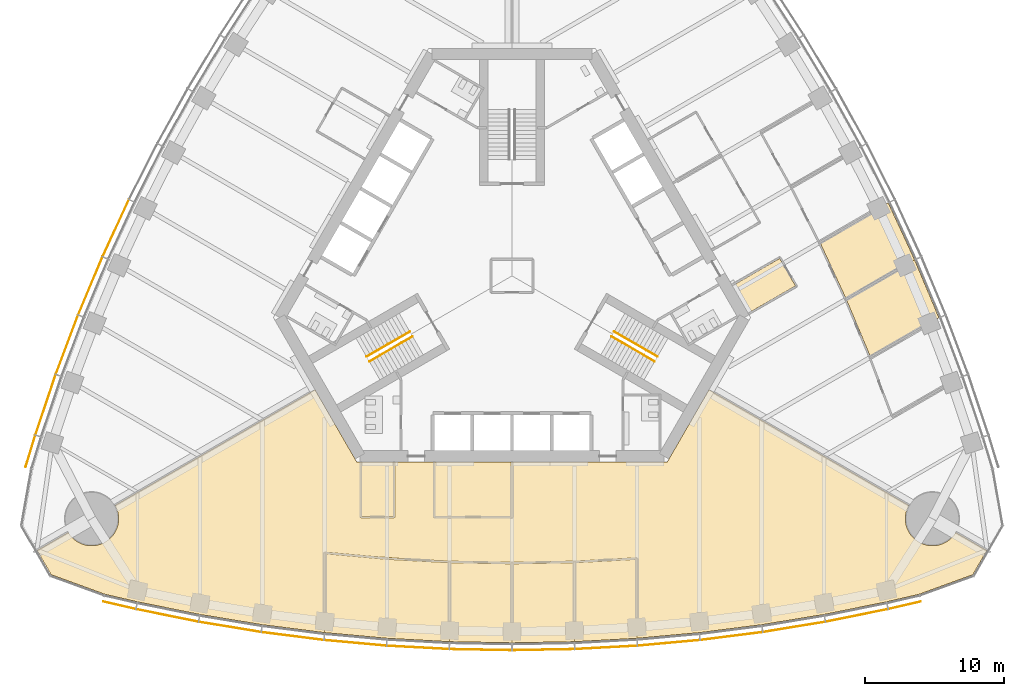
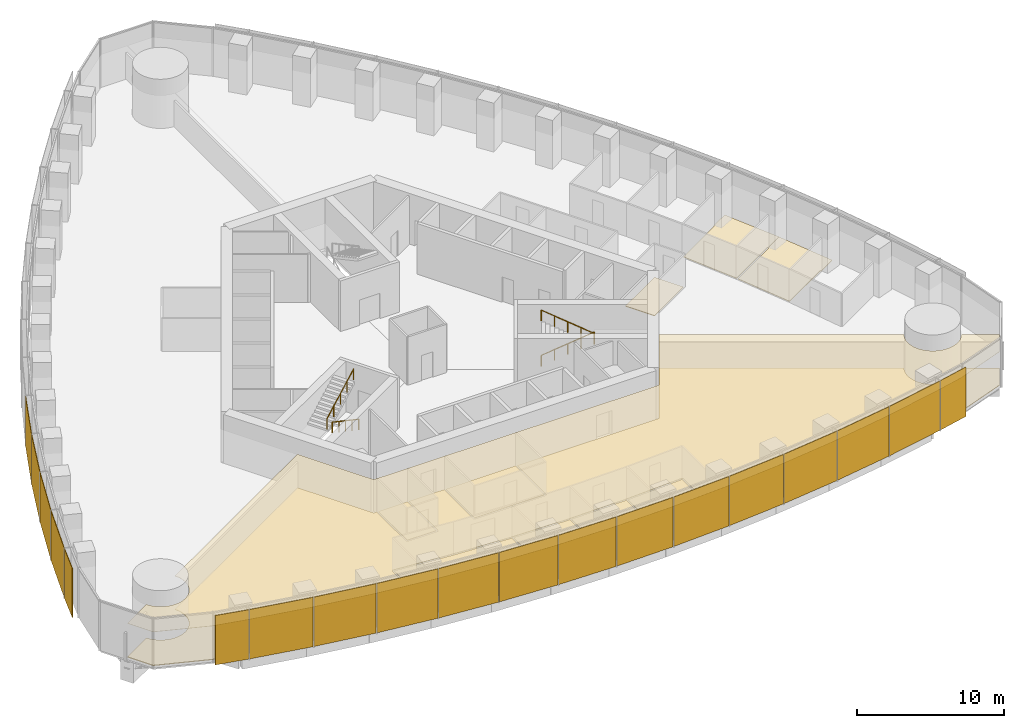
# One storey, part 15 of 19: 19 shading devices, 11 coverings, 4 railings.
"""IFC4 building model written with IfcOpenShell, lengths in metres."""

from ifc_helpers import new_model, si_unit, direction, frame, origin, origin_2d, place, context, subcontext, project, spatial, polyline, rectangle, circle, outline, extrude, material, layer, layer_set, type_object, element, save


model = new_model("IFC4")

# Units and contexts
model_context = context("Model", 3, precision=1e-05, world=origin(), true_north=direction((0.0, 1.0)))
body_context = subcontext(model_context, "Body", "Model", "MODEL_VIEW")
ifc_project = project(units=[si_unit("LENGTHUNIT", "METRE"), si_unit("AREAUNIT", "SQUARE_METRE"), si_unit("VOLUMEUNIT", "CUBIC_METRE"), si_unit("PLANEANGLEUNIT", "RADIAN"), si_unit("MASSUNIT", "GRAM", prefix="KILO")], contexts=[model_context])

# Site, building, storey
site_placement = place(None, origin())
site = spatial("IfcSite", under=ifc_project, at=site_placement, CompositionType="ELEMENT")
building_placement = place(site_placement, origin())
building = spatial("IfcBuilding", under=site, at=building_placement, Name="Trefoil Bronze Tower", CompositionType="ELEMENT")
storey_placement = place(building_placement, frame((0.0, 0.0, 124.10009765625)))
storey = spatial("IfcBuildingStorey", under=building, at=storey_placement, Name="L28", CompositionType="ELEMENT", Elevation=124.10009765625)

# Shading devices
ifc_material_1 = material(Name="Perforated bronze sheet", Category="bronze")
ifc_layer_1 = layer(ifc_material_1, 0.0400390625)
ifc_layer_set_1 = layer_set([ifc_layer_1], Name="Bronze solar screen panel")
shading_device_type = type_object("IfcShadingDeviceType", Name="Bronze solar screen panel", PredefinedType="SHUTTER", material=ifc_layer_set_1)
shading_device_1_placement = place(storey_placement, frame((-28.30078125, -23.748779296875, 0.0498046875), z_axis=(0.0, 0.0, 1.0), x_axis=(0.97420444715, -0.225667222151, 0.0)))
element("IfcShadingDevice", 1, at=shading_device_1_placement, inside=storey, type_object=shading_device_type, Name="Solar screen CW-A L28 F1 bay 1", PredefinedType="SHUTTER", context=body_context, shape_type="SweptSolid", body=[
    extrude(rectangle(XDim=2.39013671875, YDim=0.0400390625, at=origin_2d()), origin(), (0.0, 0.0, 1.0), 4.10009765625),
])
shading_device_2_placement = place(storey_placement, frame((-24.85693359375, -24.480224609375, 0.0498046875), z_axis=(0.0, 0.0, 1.0), x_axis=(0.980155155547, -0.198231861853, 0.0)))
element("IfcShadingDevice", 2, at=shading_device_2_placement, inside=storey, type_object=shading_device_type, Name="Solar screen CW-A L28 F1 bay 2", PredefinedType="SHUTTER", context=body_context, shape_type="SweptSolid", body=[
    extrude(rectangle(XDim=4.56103515625, YDim=0.0400390625, at=origin_2d()), origin(), (0.0, 0.0, 1.0), 4.10009765625),
])
shading_device_3_placement = place(storey_placement, frame((-20.337646484375, -25.30859375, 0.0498046875), z_axis=(0.0, 0.0, 1.0), x_axis=(0.986759655731, -0.162189339418, 0.0)))
element("IfcShadingDevice", 3, at=shading_device_3_placement, inside=storey, type_object=shading_device_type, Name="Solar screen CW-A L28 F1 bay 3", PredefinedType="SHUTTER", context=body_context, shape_type="SweptSolid", body=[
    extrude(rectangle(XDim=4.5302734375, YDim=0.0400390625, at=origin_2d()), origin(), (0.0, 0.0, 1.0), 4.10009765625),
])
shading_device_4_placement = place(storey_placement, frame((-15.818115234375, -25.96728515625, 0.0498046875), z_axis=(0.0, 0.0, 1.0), x_axis=(0.992011554286, -0.126147041833, 0.0)))
element("IfcShadingDevice", 4, at=shading_device_4_placement, inside=storey, type_object=shading_device_type, Name="Solar screen CW-A L28 F1 bay 4", PredefinedType="SHUTTER", context=body_context, shape_type="SweptSolid", body=[
    extrude(rectangle(XDim=4.50634765625, YDim=0.0400390625, at=origin_2d()), origin(), (0.0, 0.0, 1.0), 4.10009765625),
])
shading_device_5_placement = place(storey_placement, frame((-11.298583984375, -26.459228515625, 0.0498046875), z_axis=(0.0, 0.0, 1.0), x_axis=(0.995932279146, -0.090104913044, 0.0)))
element("IfcShadingDevice", 5, at=shading_device_5_placement, inside=storey, type_object=shading_device_type, Name="Solar screen CW-A L28 F1 bay 5", PredefinedType="SHUTTER", context=body_context, shape_type="SweptSolid", body=[
    extrude(rectangle(XDim=4.48828125, YDim=0.0400390625, at=origin_2d()), origin(), (0.0, 0.0, 1.0), 4.10009765625),
])
shading_device_6_placement = place(storey_placement, frame((-6.779296875, -26.785888671875, 0.0498046875), z_axis=(0.0, 0.0, 1.0), x_axis=(0.998537531923, -0.054062901701, 0.0)))
element("IfcShadingDevice", 6, at=shading_device_6_placement, inside=storey, type_object=shading_device_type, Name="Solar screen CW-A L28 F1 bay 6", PredefinedType="SHUTTER", context=body_context, shape_type="SweptSolid", body=[
    extrude(rectangle(XDim=4.4765625, YDim=0.0400390625, at=origin_2d()), origin(), (0.0, 0.0, 1.0), 4.10009765625),
])
for number, where, z_axis, x_axis, name in (
    (7, (-2.259765625, -26.948974609375, 0.0498046875), (0.0, 0.0, 1.0), (0.999837609322, -0.018020959612, 0.0), "Solar screen CW-A L28 F1 bay 7"),
    (8, (2.259765625, -26.948974609375, 0.0498046875), (0.0, 0.0, 1.0), (0.999837609322, 0.018020959612, 0.0), "Solar screen CW-A L28 F1 bay 8"),
):
    element("IfcShadingDevice", number, at=place(storey_placement, frame(where, z_axis=z_axis, x_axis=x_axis)), inside=storey, type_object=shading_device_type, Name=name, PredefinedType="SHUTTER", context=body_context, shape_type="SweptSolid", body=[
        extrude(rectangle(XDim=4.470703125, YDim=0.0400390625, at=origin_2d()), origin(), (0.0, 0.0, 1.0), 4.10009765625),
    ])
shading_device_7_placement = place(storey_placement, frame((6.779296875, -26.785888671875, 0.0498046875), z_axis=(0.0, 0.0, 1.0), x_axis=(0.998537531923, 0.054062901701, 0.0)))
element("IfcShadingDevice", 9, at=shading_device_7_placement, inside=storey, type_object=shading_device_type, Name="Solar screen CW-A L28 F1 bay 9", PredefinedType="SHUTTER", context=body_context, shape_type="SweptSolid", body=[
    extrude(rectangle(XDim=4.4765625, YDim=0.0400390625, at=origin_2d()), origin(), (0.0, 0.0, 1.0), 4.10009765625),
])
shading_device_8_placement = place(storey_placement, frame((11.298583984375, -26.459228515625, 0.0498046875), z_axis=(0.0, 0.0, 1.0), x_axis=(0.995932279146, 0.090104913044, 0.0)))
element("IfcShadingDevice", 10, at=shading_device_8_placement, inside=storey, type_object=shading_device_type, Name="Solar screen CW-A L28 F1 bay 10", PredefinedType="SHUTTER", context=body_context, shape_type="SweptSolid", body=[
    extrude(rectangle(XDim=4.48828125, YDim=0.0400390625, at=origin_2d()), origin(), (0.0, 0.0, 1.0), 4.10009765625),
])
shading_device_9_placement = place(storey_placement, frame((15.818115234375, -25.96728515625, 0.0498046875), z_axis=(0.0, 0.0, 1.0), x_axis=(0.992011554286, 0.126147041833, 0.0)))
element("IfcShadingDevice", 11, at=shading_device_9_placement, inside=storey, type_object=shading_device_type, Name="Solar screen CW-A L28 F1 bay 11", PredefinedType="SHUTTER", context=body_context, shape_type="SweptSolid", body=[
    extrude(rectangle(XDim=4.50634765625, YDim=0.0400390625, at=origin_2d()), origin(), (0.0, 0.0, 1.0), 4.10009765625),
])
shading_device_10_placement = place(storey_placement, frame((20.337646484375, -25.30859375, 0.0498046875), z_axis=(0.0, 0.0, 1.0), x_axis=(0.986759655731, 0.162189339418, 0.0)))
element("IfcShadingDevice", 12, at=shading_device_10_placement, inside=storey, type_object=shading_device_type, Name="Solar screen CW-A L28 F1 bay 12", PredefinedType="SHUTTER", context=body_context, shape_type="SweptSolid", body=[
    extrude(rectangle(XDim=4.5302734375, YDim=0.0400390625, at=origin_2d()), origin(), (0.0, 0.0, 1.0), 4.10009765625),
])
shading_device_11_placement = place(storey_placement, frame((24.85693359375, -24.480224609375, 0.0498046875), z_axis=(0.0, 0.0, 1.0), x_axis=(0.980155155547, 0.198231861853, 0.0)))
element("IfcShadingDevice", 13, at=shading_device_11_placement, inside=storey, type_object=shading_device_type, Name="Solar screen CW-A L28 F1 bay 13", PredefinedType="SHUTTER", context=body_context, shape_type="SweptSolid", body=[
    extrude(rectangle(XDim=4.56103515625, YDim=0.0400390625, at=origin_2d()), origin(), (0.0, 0.0, 1.0), 4.10009765625),
])
shading_device_12_placement = place(storey_placement, frame((28.30078125, -23.748779296875, 0.0498046875), z_axis=(0.0, 0.0, 1.0), x_axis=(0.97420444715, 0.225667222151, 0.0)))
element("IfcShadingDevice", 14, at=shading_device_12_placement, inside=storey, type_object=shading_device_type, Name="Solar screen CW-A L28 F1 bay 14", PredefinedType="SHUTTER", context=body_context, shape_type="SweptSolid", body=[
    extrude(rectangle(XDim=2.39013671875, YDim=0.0400390625, at=origin_2d()), origin(), (0.0, 0.0, 1.0), 4.10009765625),
])
shading_device_13_placement = place(storey_placement, frame((-28.563720703125, 3.444580078125, 0.0498046875), z_axis=(0.0, 0.0, 1.0), x_axis=(-0.419932995871, -0.907555110712, 0.0)))
element("IfcShadingDevice", 15, at=shading_device_13_placement, inside=storey, type_object=shading_device_type, Name="Solar screen CW-A L28 F3 bay 10", PredefinedType="SHUTTER", context=body_context, shape_type="SweptSolid", body=[
    extrude(rectangle(XDim=4.48828125, YDim=0.0400390625, at=origin_2d()), origin(), (0.0, 0.0, 1.0), 4.10009765625),
])
shading_device_14_placement = place(storey_placement, frame((-30.3974609375, -0.715087890625, 0.0498046875), z_axis=(0.0, 0.0, 1.0), x_axis=(-0.386759234303, -0.922180727776, 0.0)))
element("IfcShadingDevice", 16, at=shading_device_14_placement, inside=storey, type_object=shading_device_type, Name="Solar screen CW-A L28 F3 bay 11", PredefinedType="SHUTTER", context=body_context, shape_type="SweptSolid", body=[
    extrude(rectangle(XDim=4.50634765625, YDim=0.0400390625, at=origin_2d()), origin(), (0.0, 0.0, 1.0), 4.10009765625),
])
shading_device_15_placement = place(storey_placement, frame((-32.086669921875, -4.95849609375, 0.0498046875), z_axis=(0.0, 0.0, 1.0), x_axis=(-0.352919739707, -0.935653599002, 0.0)))
element("IfcShadingDevice", 17, at=shading_device_15_placement, inside=storey, type_object=shading_device_type, Name="Solar screen CW-A L28 F3 bay 12", PredefinedType="SHUTTER", context=body_context, shape_type="SweptSolid", body=[
    extrude(rectangle(XDim=4.5302734375, YDim=0.0400390625, at=origin_2d()), origin(), (0.0, 0.0, 1.0), 4.10009765625),
])
shading_device_16_placement = place(storey_placement, frame((-33.62890625, -9.286865234375, 0.0498046875), z_axis=(0.0, 0.0, 1.0), x_axis=(-0.318403749569, -0.947955195281, 0.0)))
element("IfcShadingDevice", 18, at=shading_device_16_placement, inside=storey, type_object=shading_device_type, Name="Solar screen CW-A L28 F3 bay 13", PredefinedType="SHUTTER", context=body_context, shape_type="SweptSolid", body=[
    extrude(rectangle(XDim=4.56103515625, YDim=0.0400390625, at=origin_2d()), origin(), (0.0, 0.0, 1.0), 4.10009765625),
])
shading_device_17_placement = place(storey_placement, frame((-34.717529296875, -12.634765625, 0.0498046875), z_axis=(0.0, 0.0, 1.0), x_axis=(-0.291668676391, -0.956519410787, 0.0)))
element("IfcShadingDevice", 19, at=shading_device_17_placement, inside=storey, type_object=shading_device_type, Name="Solar screen CW-A L28 F3 bay 14", PredefinedType="SHUTTER", context=body_context, shape_type="SweptSolid", body=[
    extrude(rectangle(XDim=2.39013671875, YDim=0.0400390625, at=origin_2d()), origin(), (0.0, 0.0, 1.0), 4.10009765625),
])

# Railings
ifc_material_2 = material(Name="Steel handrail", Category="steel")
railing_type = type_object("IfcRailingType", Name="Handrail 900", PredefinedType="HANDRAIL", material=ifc_material_2)
railing_1_placement = place(storey_placement, frame((7.365966796875, -4.021728515625, 0.161376953125)))
element("IfcRailing", 20, at=railing_1_placement, inside=storey, type_object=railing_type, Name="Handrail ST1 flight 1 L28", PredefinedType="HANDRAIL", context=body_context, shape_type="SweptSolid", body=[
    extrude(circle(Radius=0.02392578125, at=origin_2d()), frame((0.0, 0.0, 0.8759765625), z_axis=(0.76250339821, -0.440245697338, 0.474101564745), x_axis=(0.500012057535, 0.866018442252, 0.0)), (0.0, 0.0, 1.0), 4.088623046875),
    extrude(circle(Radius=0.02099609375, at=origin_2d()), origin(), (0.0, 0.0, 1.0), 0.851806640625),
    extrude(circle(Radius=0.02099609375, at=origin_2d()), frame((0.779296875, -0.449951171875, 0.484619140625)), (0.0, 0.0, 1.0), 0.851806640625),
    extrude(circle(Radius=0.02099609375, at=origin_2d()), frame((1.558837890625, -0.89990234375, 0.96923828125)), (0.0, 0.0, 1.0), 0.851806640625),
    extrude(circle(Radius=0.02099609375, at=origin_2d()), frame((2.33837890625, -1.35009765625, 1.453857421875)), (0.0, 0.0, 1.0), 0.851806640625),
    extrude(circle(Radius=0.02099609375, at=origin_2d()), frame((3.11767578125, -1.800048828125, 1.9384765625)), (0.0, 0.0, 1.0), 0.851806640625),
])
railing_2_placement = place(storey_placement, frame((10.28369140625, -6.168212890625, 2.261474609375)))
element("IfcRailing", 21, at=railing_2_placement, inside=storey, type_object=railing_type, Name="Handrail ST1 flight 2 L28", PredefinedType="HANDRAIL", context=body_context, shape_type="SweptSolid", body=[
    extrude(circle(Radius=0.02392578125, at=origin_2d()), frame((0.0, 0.0, 0.8759765625), z_axis=(-0.76250339821, 0.440245697338, 0.474101564745), x_axis=(-0.500012057535, -0.866018442252, 0.0)), (0.0, 0.0, 1.0), 4.088623046875),
    extrude(circle(Radius=0.02099609375, at=origin_2d()), origin(), (0.0, 0.0, 1.0), 0.851806640625),
    extrude(circle(Radius=0.02099609375, at=origin_2d()), frame((-0.779296875, 0.449951171875, 0.484619140625)), (0.0, 0.0, 1.0), 0.851806640625),
    extrude(circle(Radius=0.02099609375, at=origin_2d()), frame((-1.558837890625, 0.89990234375, 0.96923828125)), (0.0, 0.0, 1.0), 0.851806640625),
    extrude(circle(Radius=0.02099609375, at=origin_2d()), frame((-2.33837890625, 1.35009765625, 1.453857421875)), (0.0, 0.0, 1.0), 0.851806640625),
    extrude(circle(Radius=0.02099609375, at=origin_2d()), frame((-3.11767578125, 1.800048828125, 1.9384765625)), (0.0, 0.0, 1.0), 0.851806640625),
])
railing_3_placement = place(storey_placement, frame((-7.166015625, -4.3681640625, 0.161376953125)))
element("IfcRailing", 22, at=railing_3_placement, inside=storey, type_object=railing_type, Name="Handrail ST3 flight 1 L28", PredefinedType="HANDRAIL", context=body_context, shape_type="SweptSolid", body=[
    extrude(circle(Radius=0.02392578125, at=origin_2d()), frame((0.0, 0.0, 0.8759765625), z_axis=(-0.76250339821, -0.440245697338, 0.474101564745), x_axis=(0.500012057535, -0.866018442252, 0.0)), (0.0, 0.0, 1.0), 4.088623046875),
    extrude(circle(Radius=0.02099609375, at=origin_2d()), origin(), (0.0, 0.0, 1.0), 0.851806640625),
    extrude(circle(Radius=0.02099609375, at=origin_2d()), frame((-0.779296875, -0.449951171875, 0.484619140625)), (0.0, 0.0, 1.0), 0.851806640625),
    extrude(circle(Radius=0.02099609375, at=origin_2d()), frame((-1.558837890625, -0.89990234375, 0.96923828125)), (0.0, 0.0, 1.0), 0.851806640625),
    extrude(circle(Radius=0.02099609375, at=origin_2d()), frame((-2.33837890625, -1.35009765625, 1.453857421875)), (0.0, 0.0, 1.0), 0.851806640625),
    extrude(circle(Radius=0.02099609375, at=origin_2d()), frame((-3.11767578125, -1.800048828125, 1.9384765625)), (0.0, 0.0, 1.0), 0.851806640625),
])
railing_4_placement = place(storey_placement, frame((-10.483642578125, -5.82177734375, 2.261474609375)))
element("IfcRailing", 23, at=railing_4_placement, inside=storey, type_object=railing_type, Name="Handrail ST3 flight 2 L28", PredefinedType="HANDRAIL", context=body_context, shape_type="SweptSolid", body=[
    extrude(circle(Radius=0.02392578125, at=origin_2d()), frame((0.0, 0.0, 0.8759765625), z_axis=(0.76250339821, 0.440245697338, 0.474101564745), x_axis=(-0.500012057535, 0.866018442252, 0.0)), (0.0, 0.0, 1.0), 4.088623046875),
    extrude(circle(Radius=0.02099609375, at=origin_2d()), origin(), (0.0, 0.0, 1.0), 0.851806640625),
    extrude(circle(Radius=0.02099609375, at=origin_2d()), frame((0.779296875, 0.449951171875, 0.484619140625)), (0.0, 0.0, 1.0), 0.851806640625),
    extrude(circle(Radius=0.02099609375, at=origin_2d()), frame((1.558837890625, 0.89990234375, 0.96923828125)), (0.0, 0.0, 1.0), 0.851806640625),
    extrude(circle(Radius=0.02099609375, at=origin_2d()), frame((2.33837890625, 1.35009765625, 1.453857421875)), (0.0, 0.0, 1.0), 0.851806640625),
    extrude(circle(Radius=0.02099609375, at=origin_2d()), frame((3.11767578125, 1.800048828125, 1.9384765625)), (0.0, 0.0, 1.0), 0.851806640625),
])

# Coverings
ifc_material_3 = material(Name="Acoustic ceiling panels", Category="mineral fibre")
ifc_layer_2 = layer(ifc_material_3, 0.02001953125)
ifc_layer_set_2 = layer_set([ifc_layer_2], Name="Office ceiling 20")
covering_type_1 = type_object("IfcCoveringType", Name="Office ceiling 20", PredefinedType="CEILING", material=ifc_layer_set_2)
covering_1_placement = place(storey_placement, frame((0.0, 0.0, 2.89990234375)))
element("IfcCovering", 24, at=covering_1_placement, inside=storey, type_object=covering_type_1, Name="Ceiling L28 Open-plan office F1", PredefinedType="CEILING", context=body_context, shape_type="SweptSolid", body=[
    extrude(outline(polyline([(-31.932373046875, -18.58349609375), (-31.877197265625, -18.66162109375), (-31.818359375, -18.737060546875), (-31.755615234375, -18.8095703125), (-31.689697265625, -18.87890625), (-31.620361328125, -18.94482421875), (-31.548095703125, -19.00732421875), (-31.472412109375, -19.06640625), (-31.394287109375, -19.121337890625), (-31.3134765625, -19.172607421875), (-31.22998046875, -19.2197265625), (-31.14453125, -19.2626953125), (-31.05712890625, -19.301513671875), (-30.9677734375, -19.3359375), (-30.876953125, -19.365966796875), (-30.78466796875, -19.3916015625), (-30.69140625, -19.41259765625), (-30.596923828125, -19.428955078125), (-30.501953125, -19.440673828125), (-30.406494140625, -19.44775390625), (-30.310791015625, -19.449951171875), (-30.215087890625, -19.44775390625), (-30.119873046875, -19.440673828125), (-30.02490234375, -19.428955078125), (-29.930419921875, -19.41259765625), (-29.837158203125, -19.3916015625), (-29.744873046875, -19.365966796875), (-29.654052734375, -19.3359375), (-29.564697265625, -19.301513671875), (-29.477294921875, -19.2626953125), (-29.3916015625, -19.2197265625), (-29.308349609375, -19.172607421875), (-29.2275390625, -19.121337890625), (-29.1494140625, -19.06640625), (-29.07373046875, -19.00732421875), (-29.001220703125, -18.94482421875), (-28.931884765625, -18.87890625), (-28.865966796875, -18.8095703125), (-28.803466796875, -18.737060546875), (-28.74462890625, -18.66162109375), (-28.689453125, -18.58349609375), (-28.63818359375, -18.50244140625), (-28.591064453125, -18.419189453125), (-28.548095703125, -18.333740234375), (-28.50927734375, -18.24609375), (-28.474853515625, -18.156982421875), (-28.44482421875, -18.066162109375), (-28.419189453125, -17.973876953125), (-28.3984375, -17.88037109375), (-28.382080078125, -17.7861328125), (-28.370361328125, -17.691162109375), (-28.36328125, -17.595703125), (-28.36083984375, -17.5), (-28.36328125, -17.404296875), (-28.370361328125, -17.308837890625), (-28.382080078125, -17.2138671875), (-28.3984375, -17.11962890625), (-28.419189453125, -17.026123046875), (-28.44482421875, -16.933837890625), (-28.474853515625, -16.843017578125), (-28.50927734375, -16.75390625), (-28.548095703125, -16.666259765625), (-28.591064453125, -16.580810546875), (-28.616455078125, -16.535888671875), (-14.19970703125, -8.205322265625), (-11.20068359375, -13.39990234375), (11.20068359375, -13.39990234375), (14.19970703125, -8.205322265625), (28.616455078125, -16.535888671875), (28.591064453125, -16.580810546875), (28.548095703125, -16.666259765625), (28.50927734375, -16.75390625), (28.474853515625, -16.843017578125), (28.44482421875, -16.933837890625), (28.419189453125, -17.026123046875), (28.3984375, -17.11962890625), (28.382080078125, -17.2138671875), (28.370361328125, -17.308837890625), (28.36328125, -17.404296875), (28.36083984375, -17.5), (28.36328125, -17.595703125), (28.370361328125, -17.691162109375), (28.382080078125, -17.7861328125), (28.3984375, -17.88037109375), (28.419189453125, -17.973876953125), (28.44482421875, -18.066162109375), (28.474853515625, -18.156982421875), (28.50927734375, -18.24609375), (28.548095703125, -18.333740234375), (28.591064453125, -18.419189453125), (28.63818359375, -18.50244140625), (28.689453125, -18.58349609375), (28.74462890625, -18.66162109375), (28.803466796875, -18.737060546875), (28.865966796875, -18.8095703125), (28.931884765625, -18.87890625), (29.001220703125, -18.94482421875), (29.07373046875, -19.00732421875), (29.1494140625, -19.06640625), (29.2275390625, -19.121337890625), (29.308349609375, -19.172607421875), (29.3916015625, -19.2197265625), (29.477294921875, -19.2626953125), (29.564697265625, -19.301513671875), (29.654052734375, -19.3359375), (29.744873046875, -19.365966796875), (29.837158203125, -19.3916015625), (29.930419921875, -19.41259765625), (30.02490234375, -19.428955078125), (30.119873046875, -19.440673828125), (30.215087890625, -19.44775390625), (30.310791015625, -19.449951171875), (30.406494140625, -19.44775390625), (30.501953125, -19.440673828125), (30.596923828125, -19.428955078125), (30.69140625, -19.41259765625), (30.78466796875, -19.3916015625), (30.876953125, -19.365966796875), (30.9677734375, -19.3359375), (31.05712890625, -19.301513671875), (31.14453125, -19.2626953125), (31.22998046875, -19.2197265625), (31.3134765625, -19.172607421875), (31.394287109375, -19.121337890625), (31.472412109375, -19.06640625), (31.548095703125, -19.00732421875), (31.620361328125, -18.94482421875), (31.689697265625, -18.87890625), (31.755615234375, -18.8095703125), (31.818359375, -18.737060546875), (31.877197265625, -18.66162109375), (31.932373046875, -18.58349609375), (31.992431640625, -18.48681640625), (34.233154296875, -19.781494140625), (33.21435546875, -21.5458984375), (29.357666015625, -22.94970703125), (27.0, -23.495849609375), (22.5, -24.406005859375), (18.0, -25.1455078125), (13.5, -25.7177734375), (9.0, -26.125), (4.5, -26.36865234375), (0.0, -26.44970703125), (-4.5, -26.36865234375), (-9.0, -26.125), (-13.5, -25.7177734375), (-18.0, -25.1455078125), (-22.5, -24.406005859375), (-27.0, -23.495849609375), (-29.357666015625, -22.94970703125), (-33.21435546875, -21.5458984375), (-34.233154296875, -19.781494140625), (-31.992431640625, -18.48681640625), (-31.932373046875, -18.58349609375)])), origin(), (0.0, 0.0, 1.0), 0.02001953125),
])
ifc_material_4 = material(Name="Raised access floor panels", Category="steel")
ifc_layer_3 = layer(ifc_material_4, 0.050048828125)
ifc_layer_set_3 = layer_set([ifc_layer_3], Name="Raised access floor 150")
covering_type_2 = type_object("IfcCoveringType", Name="Raised access floor 150", PredefinedType="FLOORING", material=ifc_layer_set_3)
covering_2_placement = place(storey_placement, frame((0.0, 0.0, 0.099853515625)))
element("IfcCovering", 25, at=covering_2_placement, inside=storey, type_object=covering_type_2, Name="Raised floor L28 Meeting room F1", PredefinedType="FLOORING", context=body_context, shape_type="SweptSolid", body=[
    extrude(outline(polyline([(-0.06005859375, -13.39990234375), (-0.06005859375, -17.340087890625), (-5.5400390625, -17.340087890625), (-5.5400390625, -13.39990234375), (-0.06005859375, -13.39990234375)])), origin(), (0.0, 0.0, 1.0), 0.050048828125),
])
covering_3_placement = place(storey_placement, frame((0.0, 0.0, 0.099853515625)))
element("IfcCovering", 26, at=covering_3_placement, inside=storey, type_object=covering_type_2, Name="Raised floor L28 Comms room F1", PredefinedType="FLOORING", context=body_context, shape_type="SweptSolid", body=[
    extrude(outline(polyline([(-8.56005859375, -13.39990234375), (-8.56005859375, -17.340087890625), (-10.840087890625, -17.340087890625), (-10.840087890625, -13.39990234375), (-8.56005859375, -13.39990234375)])), origin(), (0.0, 0.0, 1.0), 0.050048828125),
])
covering_4_placement = place(storey_placement, frame((0.0, 0.0, 0.099853515625)))
element("IfcCovering", 27, at=covering_4_placement, inside=storey, type_object=covering_type_2, Name="Raised floor L28 Kitchen and breakout F1", PredefinedType="FLOORING", context=body_context, shape_type="SweptSolid", body=[
    extrude(outline(polyline([(-9.0, -26.125), (-13.5, -25.7177734375), (-13.5, -24.22900390625), (-13.43994140625, -24.22900390625), (-13.43994140625, -20.033447265625), (-9.00537109375, -20.434814453125), (-9.0, -20.375), (-9.003173828125, -20.434814453125), (-4.56005859375, -20.67529296875), (-4.56005859375, -24.8876953125), (-4.5, -24.8876953125), (-4.5, -26.36865234375), (-9.0, -26.125)])), origin(), (0.0, 0.0, 1.0), 0.050048828125),
])
covering_5_placement = place(storey_placement, frame((0.0, 0.0, 0.099853515625)))
element("IfcCovering", 28, at=covering_5_placement, inside=storey, type_object=covering_type_2, Name="Raised floor L28 Office F1", PredefinedType="FLOORING", context=body_context, shape_type="SweptSolid", body=[
    extrude(outline(polyline([(0.0, -26.44970703125), (-4.5, -26.36865234375), (-4.5, -24.8876953125), (-4.43994140625, -24.8876953125), (-4.43994140625, -20.6796875), (-0.06005859375, -20.758544921875), (-0.06005859375, -24.9697265625), (0.0, -24.9697265625), (0.0, -26.44970703125)])), origin(), (0.0, 0.0, 1.0), 0.050048828125),
])
covering_6_placement = place(storey_placement, frame((0.0, 0.0, 0.099853515625)))
element("IfcCovering", 29, at=covering_6_placement, inside=storey, type_object=covering_type_2, Name="Raised floor L28 Office F1", PredefinedType="FLOORING", context=body_context, shape_type="SweptSolid", body=[
    extrude(outline(polyline([(4.5, -26.36865234375), (0.0, -26.44970703125), (0.0, -24.9697265625), (0.06005859375, -24.9697265625), (0.06005859375, -20.758544921875), (4.43994140625, -20.6796875), (4.43994140625, -24.8876953125), (4.5, -24.8876953125), (4.5, -26.36865234375)])), origin(), (0.0, 0.0, 1.0), 0.050048828125),
])
covering_7_placement = place(storey_placement, frame((0.0, 0.0, 0.099853515625)))
element("IfcCovering", 30, at=covering_7_placement, inside=storey, type_object=covering_type_2, Name="Raised floor L28 Office F1", PredefinedType="FLOORING", context=body_context, shape_type="SweptSolid", body=[
    extrude(outline(polyline([(9.0, -26.125), (4.5, -26.36865234375), (4.5, -24.8876953125), (4.56005859375, -24.8876953125), (4.56005859375, -20.67529296875), (8.93994140625, -20.438232421875), (8.93994140625, -24.64111328125), (9.0, -24.64111328125), (9.0, -26.125)])), origin(), (0.0, 0.0, 1.0), 0.050048828125),
])
covering_8_placement = place(storey_placement, frame((0.0, 0.0, 0.099853515625)))
element("IfcCovering", 31, at=covering_8_placement, inside=storey, type_object=covering_type_2, Name="Raised floor L28 Open-plan office F1", PredefinedType="FLOORING", context=body_context, shape_type="SweptSolid", body=[
    extrude(outline(polyline([(-11.20068359375, -13.39990234375), (-10.9599609375, -13.39990234375), (-10.9599609375, -17.39990234375), (-10.89990234375, -17.39990234375), (-10.89990234375, -17.4599609375), (-8.5, -17.4599609375), (-8.5, -17.39990234375), (-8.43994140625, -17.39990234375), (-8.43994140625, -13.39990234375), (-5.659912109375, -13.39990234375), (-5.659912109375, -17.39990234375), (-5.60009765625, -17.39990234375), (-5.60009765625, -17.4599609375), (0.0, -17.4599609375), (0.0, -17.39990234375), (0.06005859375, -17.39990234375), (0.06005859375, -13.39990234375), (11.20068359375, -13.39990234375), (14.19970703125, -8.205322265625), (28.616455078125, -16.535888671875), (28.591064453125, -16.580810546875), (28.548095703125, -16.666259765625), (28.50927734375, -16.75390625), (28.474853515625, -16.843017578125), (28.44482421875, -16.933837890625), (28.419189453125, -17.026123046875), (28.3984375, -17.11962890625), (28.382080078125, -17.2138671875), (28.370361328125, -17.308837890625), (28.36328125, -17.404296875), (28.36083984375, -17.5), (28.36328125, -17.595703125), (28.370361328125, -17.691162109375), (28.382080078125, -17.7861328125), (28.3984375, -17.88037109375), (28.419189453125, -17.973876953125), (28.44482421875, -18.066162109375), (28.474853515625, -18.156982421875), (28.50927734375, -18.24609375), (28.548095703125, -18.333740234375), (28.591064453125, -18.419189453125), (28.63818359375, -18.50244140625), (28.689453125, -18.58349609375), (28.74462890625, -18.66162109375), (28.803466796875, -18.737060546875), (28.865966796875, -18.8095703125), (28.931884765625, -18.87890625), (29.001220703125, -18.94482421875), (29.07373046875, -19.00732421875), (29.1494140625, -19.06640625), (29.2275390625, -19.121337890625), (29.308349609375, -19.172607421875), (29.3916015625, -19.2197265625), (29.477294921875, -19.2626953125), (29.564697265625, -19.301513671875), (29.654052734375, -19.3359375), (29.744873046875, -19.365966796875), (29.837158203125, -19.3916015625), (29.930419921875, -19.41259765625), (30.02490234375, -19.428955078125), (30.119873046875, -19.440673828125), (30.215087890625, -19.44775390625), (30.310791015625, -19.449951171875), (30.406494140625, -19.44775390625), (30.501953125, -19.440673828125), (30.596923828125, -19.428955078125), (30.69140625, -19.41259765625), (30.78466796875, -19.3916015625), (30.876953125, -19.365966796875), (30.9677734375, -19.3359375), (31.05712890625, -19.301513671875), (31.14453125, -19.2626953125), (31.22998046875, -19.2197265625), (31.3134765625, -19.172607421875), (31.394287109375, -19.121337890625), (31.472412109375, -19.06640625), (31.548095703125, -19.00732421875), (31.620361328125, -18.94482421875), (31.689697265625, -18.87890625), (31.755615234375, -18.8095703125), (31.818359375, -18.737060546875), (31.877197265625, -18.66162109375), (31.932373046875, -18.58349609375), (31.992431640625, -18.48681640625), (34.233154296875, -19.781494140625), (33.21435546875, -21.5458984375), (29.357666015625, -22.94970703125), (27.0, -23.495849609375), (22.5, -24.406005859375), (18.0, -25.1455078125), (13.5, -25.7177734375), (9.0, -26.125), (9.0, -24.64111328125), (9.06005859375, -24.64111328125), (9.06005859375, -20.375), (9.0, -20.375), (8.996826171875, -20.31494140625), (4.497802734375, -20.55859375), (0.0, -20.6396484375), (-4.497802734375, -20.55859375), (-7.807861328125, -20.37939453125), (-10.18359375, -20.20751953125), (-13.49462890625, -19.907958984375), (-13.5, -19.9677734375), (-13.56005859375, -19.9677734375), (-13.56005859375, -24.22900390625), (-13.5, -24.22900390625), (-13.5, -25.7177734375), (-18.0, -25.1455078125), (-22.5, -24.406005859375), (-27.0, -23.495849609375), (-29.357666015625, -22.94970703125), (-33.21435546875, -21.5458984375), (-34.233154296875, -19.781494140625), (-31.992431640625, -18.48681640625), (-31.932373046875, -18.58349609375), (-31.877197265625, -18.66162109375), (-31.818359375, -18.737060546875), (-31.755615234375, -18.8095703125), (-31.689697265625, -18.87890625), (-31.620361328125, -18.94482421875), (-31.548095703125, -19.00732421875), (-31.472412109375, -19.06640625), (-31.394287109375, -19.121337890625), (-31.3134765625, -19.172607421875), (-31.22998046875, -19.2197265625), (-31.14453125, -19.2626953125), (-31.05712890625, -19.301513671875), (-30.9677734375, -19.3359375), (-30.876953125, -19.365966796875), (-30.78466796875, -19.3916015625), (-30.69140625, -19.41259765625), (-30.596923828125, -19.428955078125), (-30.501953125, -19.440673828125), (-30.406494140625, -19.44775390625), (-30.310791015625, -19.449951171875), (-30.215087890625, -19.44775390625), (-30.119873046875, -19.440673828125), (-30.02490234375, -19.428955078125), (-29.930419921875, -19.41259765625), (-29.837158203125, -19.3916015625), (-29.744873046875, -19.365966796875), (-29.654052734375, -19.3359375), (-29.564697265625, -19.301513671875), (-29.477294921875, -19.2626953125), (-29.3916015625, -19.2197265625), (-29.308349609375, -19.172607421875), (-29.2275390625, -19.121337890625), (-29.1494140625, -19.06640625), (-29.07373046875, -19.00732421875), (-29.001220703125, -18.94482421875), (-28.931884765625, -18.87890625), (-28.865966796875, -18.8095703125), (-28.803466796875, -18.737060546875), (-28.74462890625, -18.66162109375), (-28.689453125, -18.58349609375), (-28.63818359375, -18.50244140625), (-28.591064453125, -18.419189453125), (-28.548095703125, -18.333740234375), (-28.50927734375, -18.24609375), (-28.474853515625, -18.156982421875), (-28.44482421875, -18.066162109375), (-28.419189453125, -17.973876953125), (-28.3984375, -17.88037109375), (-28.382080078125, -17.7861328125), (-28.370361328125, -17.691162109375), (-28.36328125, -17.595703125), (-28.36083984375, -17.5), (-28.36328125, -17.404296875), (-28.370361328125, -17.308837890625), (-28.382080078125, -17.2138671875), (-28.3984375, -17.11962890625), (-28.419189453125, -17.026123046875), (-28.44482421875, -16.933837890625), (-28.474853515625, -16.843017578125), (-28.50927734375, -16.75390625), (-28.548095703125, -16.666259765625), (-28.591064453125, -16.580810546875), (-28.616455078125, -16.535888671875), (-14.19970703125, -8.205322265625), (-11.20068359375, -13.39990234375)])), origin(), (0.0, 0.0, 1.0), 0.050048828125),
])
covering_9_placement = place(storey_placement, frame((0.0, 0.0, 0.099853515625)))
element("IfcCovering", 32, at=covering_9_placement, inside=storey, type_object=covering_type_2, Name="Raised floor L28 Comms room F2", PredefinedType="FLOORING", context=body_context, shape_type="SweptSolid", body=[
    extrude(outline(polyline([(15.884765625, -0.713134765625), (19.296875, 1.2568359375), (20.43701171875, -0.7177734375), (17.024658203125, -2.687744140625), (15.884765625, -0.713134765625)])), origin(), (0.0, 0.0, 1.0), 0.050048828125),
])
covering_10_placement = place(storey_placement, frame((0.0, 0.0, 0.099853515625)))
element("IfcCovering", 33, at=covering_10_placement, inside=storey, type_object=covering_type_2, Name="Raised floor L28 Office F2", PredefinedType="FLOORING", context=body_context, shape_type="SweptSolid", body=[
    extrude(outline(polyline([(27.124755859375, 5.268310546875), (29.022216796875, 1.16748046875), (27.73291015625, 0.423095703125), (27.702880859375, 0.47509765625), (24.069580078125, -1.62255859375), (22.22265625, 2.36865234375), (25.869873046875, 4.474365234375), (25.83984375, 4.5263671875), (27.124755859375, 5.268310546875)])), origin(), (0.0, 0.0, 1.0), 0.050048828125),
])
covering_11_placement = place(storey_placement, frame((0.0, 0.0, 0.099853515625)))
element("IfcCovering", 34, at=covering_11_placement, inside=storey, type_object=covering_type_2, Name="Raised floor L28 Office F2", PredefinedType="FLOORING", context=body_context, shape_type="SweptSolid", body=[
    extrude(outline(polyline([(29.022216796875, 1.16748046875), (30.776611328125, -3.015625), (29.4814453125, -3.763427734375), (29.451416015625, -3.71142578125), (25.825927734375, -5.8046875), (24.118408203125, -1.73291015625), (27.762939453125, 0.371337890625), (27.73291015625, 0.423095703125), (29.022216796875, 1.16748046875)])), origin(), (0.0, 0.0, 1.0), 0.050048828125),
])

save(model, "model.ifc")
